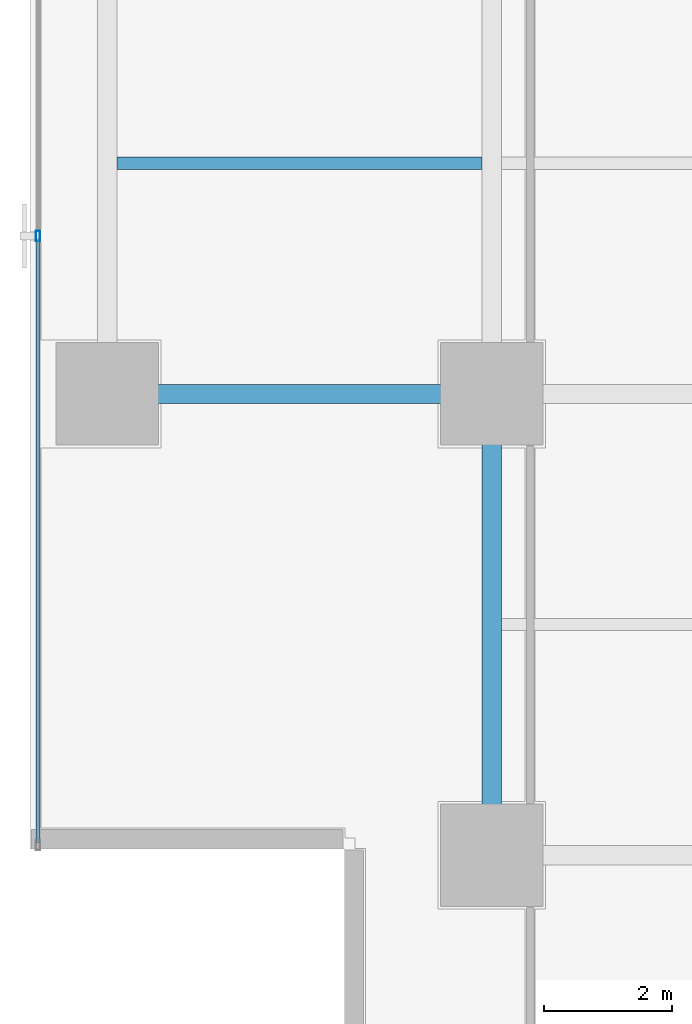
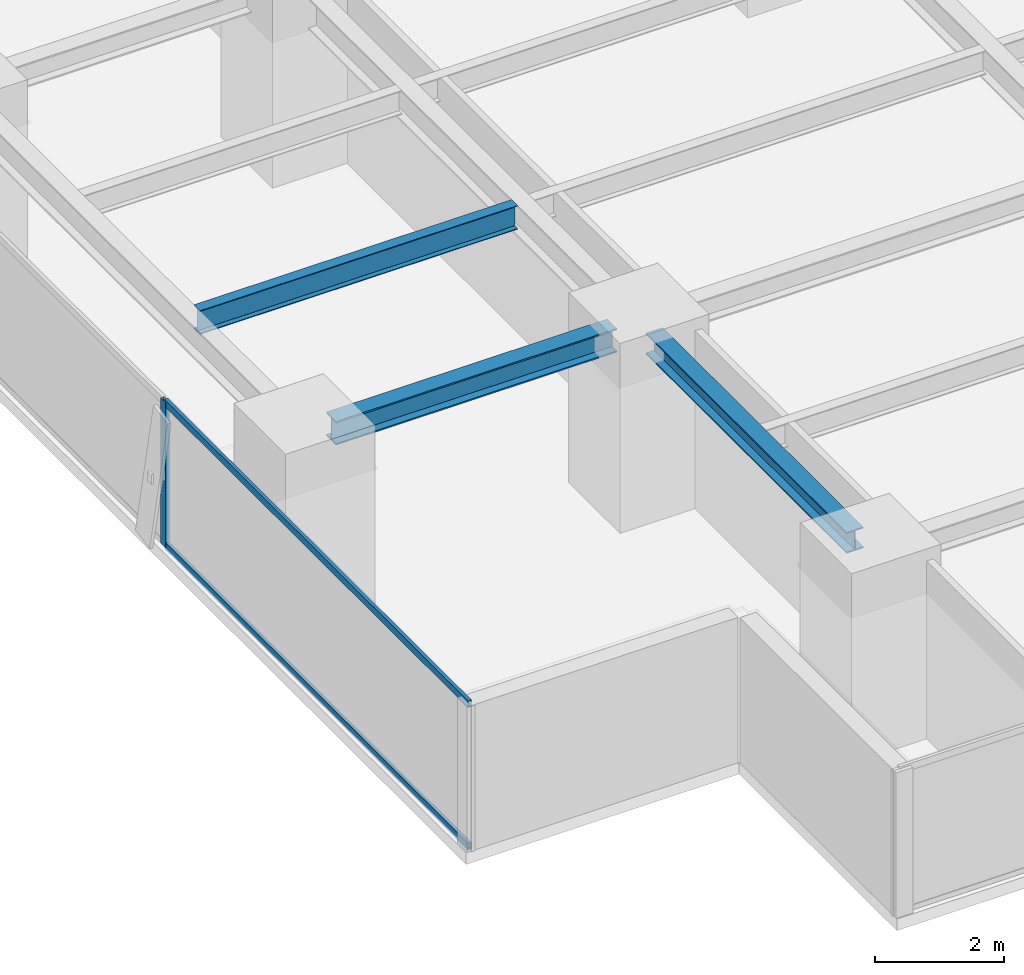
# One storey, part 3 of 27: 3 beams, 3 members, 1 element without a shape of its own.
"""IFC4 building model written with IfcOpenShell, lengths in metres."""

from ifc_helpers import new_model, si_unit, direction, frame, origin, origin_2d, place, context, subcontext, project, spatial, hollow_rectangle, i_section, extrude, source, transform, mapped, material, layer, layer_set, material_profile, profile_set, type_object, element, aggregate, save


model = new_model("IFC4")

# Units and contexts
model_context = context("Model", 3, precision=1e-05, world=origin(), true_north=direction((0.0, 1.0)))
body_context = subcontext(model_context, "Body", "Model", "MODEL_VIEW")
ifc_project = project(units=[si_unit("LENGTHUNIT", "METRE"), si_unit("AREAUNIT", "SQUARE_METRE"), si_unit("VOLUMEUNIT", "CUBIC_METRE"), si_unit("PLANEANGLEUNIT", "RADIAN"), si_unit("MASSUNIT", "GRAM", prefix="KILO")], contexts=[model_context])

# Site, building, storey
site_placement = place(None, origin())
site = spatial("IfcSite", under=ifc_project, at=site_placement, CompositionType="ELEMENT")
building_placement = place(site_placement, origin())
building = spatial("IfcBuilding", under=site, at=building_placement, Name="Sumidabori Civic Tower", CompositionType="ELEMENT")
storey_placement = place(building_placement, frame((0.0, 0.0, 138.800048828125)))
storey = spatial("IfcBuildingStorey", under=building, at=storey_placement, Name="L35", CompositionType="ELEMENT", Elevation=138.800048828125)

# Beams
ifc_material_1 = material(Name="Steel SN490", Category="steel")
ifc_material_profile_1 = material_profile(ifc_material_1, i_section(OverallWidth=0.300048828125, OverallDepth=0.39990234375, WebThickness=0.013427734375, FlangeThickness=0.02392578125, at=origin_2d()), Name="HE 400 B")
ifc_profile_set_1 = profile_set([ifc_material_profile_1], Name="Steel SN490")
beam_type_1 = type_object("IfcBeamType", Name="BM-GIRD-400", PredefinedType="BEAM", material=ifc_profile_set_1)
shared_shape_1 = source(origin(), body_context, "Body", "SweptSolid", [
    extrude(i_section(OverallWidth=0.300048828125, OverallDepth=0.39990234375, WebThickness=0.013427734375, FlangeThickness=0.02392578125, at=origin_2d()), origin(), (0.0, 0.0, 1.0), 6.239990234375),
])
beam_1_placement = place(storey_placement, frame((-16.800048828125, -17.52001953125, 3.179931640625), z_axis=(0.0, 1.0, 0.0), x_axis=(-1.0, 0.0, 0.0)))
element("IfcBeam", 1, at=beam_1_placement, inside=storey, type_object=beam_type_1, Name="Primary Girder L35 GY-22", PredefinedType="BEAM", context=body_context, shape_type="MappedRepresentation", body=[
    mapped(shared_shape_1, transform((0.0, 0.0, 0.0), x_axis=(1.0, 0.0, 0.0), y_axis=(0.0, 1.0, 0.0), z_axis=(0.0, 0.0, 1.0), scale=1.0)),
])
ifc_material_profile_2 = material_profile(ifc_material_1, i_section(OverallWidth=0.18994140625, OverallDepth=0.449951171875, WebThickness=0.009521484375, FlangeThickness=0.0146484375, at=origin_2d()), Name="IPE 450")
ifc_profile_set_2 = profile_set([ifc_material_profile_2], Name="Steel SN490")
beam_type_2 = type_object("IfcBeamType", Name="BM-JST-450", PredefinedType="JOIST", material=ifc_profile_set_2)
shared_shape_2 = source(origin(), body_context, "Body", "SweptSolid", [
    extrude(i_section(OverallWidth=0.18994140625, OverallDepth=0.449951171875, WebThickness=0.009521484375, FlangeThickness=0.0146484375, at=origin_2d()), origin(), (0.0, 0.0, 1.0), 5.699951171875),
])
beam_2_placement = place(storey_placement, frame((-22.64990234375, -7.199951171875, 3.155029296875), z_axis=(1.0, 0.0, 0.0), x_axis=(0.0, 1.0, 0.0)))
element("IfcBeam", 2, at=beam_2_placement, inside=storey, type_object=beam_type_2, Name="Outer Bay Floor Joist L35 JSTO-39", PredefinedType="JOIST", context=body_context, shape_type="MappedRepresentation", body=[
    mapped(shared_shape_2, transform((0.0, 0.0, 0.0), x_axis=(1.0, 0.0, 0.0), y_axis=(0.0, 1.0, 0.0), z_axis=(0.0, 0.0, 1.0), scale=1.0)),
])
ifc_material_profile_3 = material_profile(ifc_material_1, i_section(OverallWidth=0.300048828125, OverallDepth=0.449951171875, WebThickness=0.013916015625, FlangeThickness=0.02587890625, at=origin_2d()), Name="HE 450 B")
ifc_profile_set_3 = profile_set([ifc_material_profile_3], Name="Steel SN490")
beam_type_3 = type_object("IfcBeamType", Name="BM-GIRD-450", PredefinedType="BEAM", material=ifc_profile_set_3)
shared_shape_3 = source(origin(), body_context, "Body", "SweptSolid", [
    extrude(i_section(OverallWidth=0.300048828125, OverallDepth=0.449951171875, WebThickness=0.013916015625, FlangeThickness=0.02587890625, at=origin_2d()), origin(), (0.0, 0.0, 1.0), 5.0400390625),
])
beam_3_placement = place(storey_placement, frame((-22.320068359375, -10.800048828125, 3.155029296875), z_axis=(1.0, 0.0, 0.0), x_axis=(0.0, 1.0, 0.0)))
element("IfcBeam", 3, at=beam_3_placement, inside=storey, type_object=beam_type_3, Name="Primary Girder L35 GX-05", PredefinedType="BEAM", context=body_context, shape_type="MappedRepresentation", body=[
    mapped(shared_shape_3, transform((0.0, 0.0, 0.0), x_axis=(1.0, 0.0, 0.0), y_axis=(0.0, 1.0, 0.0), z_axis=(0.0, 0.0, 1.0), scale=1.0)),
])

# Curtain wall, members
ifc_material_2 = material(Name="Anodised Bronze Aluminium AW-6063-T6", Category="aluminium")
ifc_layer = layer(ifc_material_2, 0.179931640625, Name="Anodised Bronze Aluminium AW-6063-T6")
ifc_layer_set = layer_set([ifc_layer], Name="Anodised Bronze Aluminium AW-6063-T6")
curtain_wall_type = type_object("IfcCurtainWallType", Name="CW-SYS-3", PredefinedType="NOTDEFINED", material=ifc_layer_set)
curtain_wall_placement = place(storey_placement, origin())
curtain_wall = element("IfcCurtainWall", 4, at=curtain_wall_placement, inside=storey, type_object=curtain_wall_type, Name="Curtain Wall CW:L35:R10", PredefinedType="NOTDEFINED")
ifc_material_profile_4 = material_profile(ifc_material_2, hollow_rectangle(XDim=0.06494140625, YDim=0.159912109375, WallThickness=0.0048828125, at=origin_2d()), Name="ALU MULLION 160x65")
ifc_profile_set_4 = profile_set([ifc_material_profile_4], Name="Anodised Bronze Aluminium AW-6063-T6")
member_type_1 = type_object("IfcMemberType", Name="CW-MUL-160", PredefinedType="MULLION", material=ifc_profile_set_4)
shared_shape_4 = source(origin(), body_context, "Body", "SweptSolid", [
    extrude(hollow_rectangle(XDim=0.06494140625, YDim=0.159912109375, WallThickness=0.0048828125, at=origin_2d()), origin(), (0.0, 0.0, 1.0), 2.760009765625),
])
member_1_placement = place(storey_placement, frame((-23.8798828125, -8.3349609375, 0.0), z_axis=(0.0, 0.0, 1.0), x_axis=(1.0, 0.0, 0.0)))
member_1 = element("IfcMember", 5, at=member_1_placement, type_object=member_type_1, Name="CW-3 mullion 4", PredefinedType="MULLION", context=body_context, shape_type="MappedRepresentation", body=[
    mapped(shared_shape_4, transform((0.0, 0.0, 0.0), x_axis=(1.0, 0.0, 0.0), y_axis=(0.0, 1.0, 0.0), z_axis=(0.0, 0.0, 1.0), scale=1.0)),
])
ifc_material_profile_5 = material_profile(ifc_material_2, hollow_rectangle(XDim=0.06005859375, YDim=0.1298828125, WallThickness=0.0048828125, at=origin_2d()), Name="ALU TRANSOM 130x60")
ifc_profile_set_5 = profile_set([ifc_material_profile_5], Name="Anodised Bronze Aluminium AW-6063-T6")
member_type_2 = type_object("IfcMemberType", Name="CW-TRN-130", PredefinedType="USERDEFINED", material=ifc_profile_set_5)
shared_shape_5 = source(origin(), body_context, "Body", "SweptSolid", [
    extrude(hollow_rectangle(XDim=0.06005859375, YDim=0.1298828125, WallThickness=0.0048828125, at=origin_2d()), origin(), (0.0, 0.0, 1.0), 9.4375),
])
member_2_placement = place(storey_placement, frame((-23.8798828125, -8.367431640625, 0.030029296875), z_axis=(0.0, -1.0, 0.0), x_axis=(1.0, 0.0, 0.0)))
member_2 = element("IfcMember", 6, at=member_2_placement, type_object=member_type_2, Name="CW-3 transom 4.1", ObjectType="TRANSOM", PredefinedType="USERDEFINED", context=body_context, shape_type="MappedRepresentation", body=[
    mapped(shared_shape_5, transform((0.0, 0.0, 0.0), x_axis=(1.0, 0.0, 0.0), y_axis=(0.0, 1.0, 0.0), z_axis=(0.0, 0.0, 1.0), scale=1.0)),
])
member_3_placement = place(storey_placement, frame((-23.8798828125, -8.367431640625, 2.72998046875), z_axis=(0.0, -1.0, 0.0), x_axis=(1.0, 0.0, 0.0)))
member_3 = element("IfcMember", 7, at=member_3_placement, type_object=member_type_2, Name="CW-3 transom 4.2", ObjectType="TRANSOM", PredefinedType="USERDEFINED", context=body_context, shape_type="MappedRepresentation", body=[
    mapped(shared_shape_5, transform((0.0, 0.0, 0.0), x_axis=(1.0, 0.0, 0.0), y_axis=(0.0, 1.0, 0.0), z_axis=(0.0, 0.0, 1.0), scale=1.0)),
])
aggregate(curtain_wall, [member_1, member_2, member_3])

save(model, "model.ifc")
